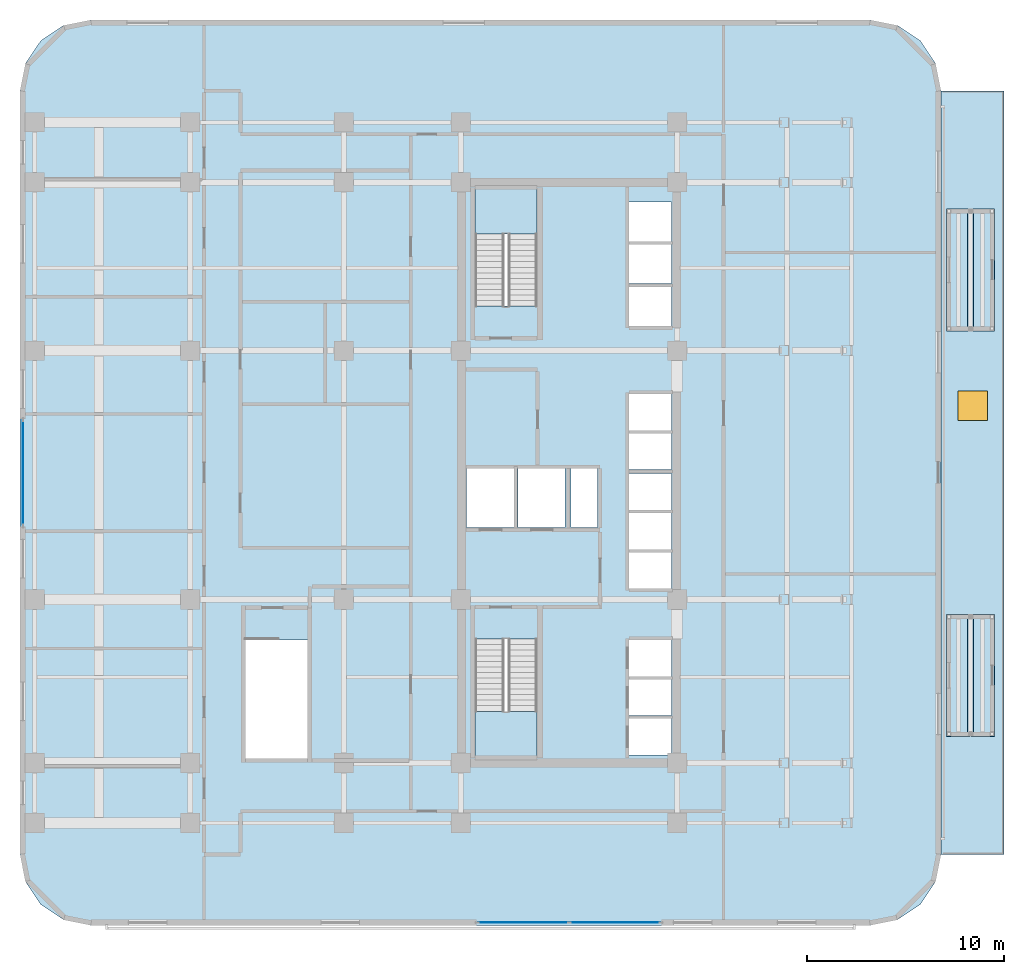
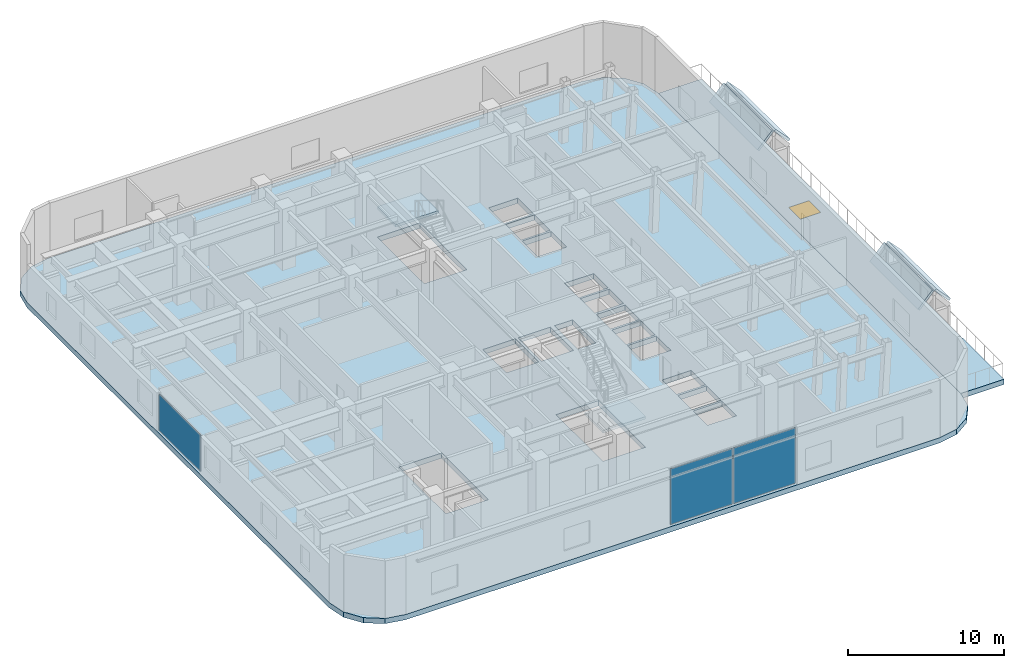
# One storey, part 7 of 18: 8 slabs, 3 plates, 1 window, 1 opening, 4 elements without a shape of their own.
"""IFC4 building model written with IfcOpenShell, lengths in metres."""

from ifc_helpers import new_model, si_unit, direction, frame, origin, origin_2d, place, context, subcontext, project, spatial, polyline, rectangle, outline, extrude, material, layer, layer_set, type_object, element, fill, aggregate, save


model = new_model("IFC4")

# Units and contexts
model_context = context("Model", 3, precision=1e-05, world=origin(), true_north=direction((0.0, 1.0)))
body_context = subcontext(model_context, "Body", "Model", "MODEL_VIEW")
ifc_project = project(units=[si_unit("LENGTHUNIT", "METRE"), si_unit("AREAUNIT", "SQUARE_METRE"), si_unit("VOLUMEUNIT", "CUBIC_METRE"), si_unit("PLANEANGLEUNIT", "RADIAN"), si_unit("MASSUNIT", "GRAM", prefix="KILO")], contexts=[model_context])

# Site, building, storey
site_placement = place(None, origin())
site = spatial("IfcSite", under=ifc_project, at=site_placement, CompositionType="ELEMENT")
building_placement = place(site_placement, origin())
building = spatial("IfcBuilding", under=site, at=building_placement, Name="Ochreholt Gables", CompositionType="ELEMENT")
storey_placement = place(building_placement, frame((0.0, 0.0, 19.199951171875)))
storey = spatial("IfcBuildingStorey", under=building, at=storey_placement, Name="L04", CompositionType="ELEMENT", Elevation=19.199951171875)

# Curtain wall, plates
ifc_material_1 = material(Name="Unitised Aluminium and Triple Glazing", Category="aluminium")
ifc_layer_1 = layer(ifc_material_1, 0.199951171875, Name="Unitised Aluminium and Triple Glazing")
ifc_layer_set_1 = layer_set([ifc_layer_1], Name="Unitised Aluminium and Triple Glazing")
curtain_wall_type = type_object("IfcCurtainWallType", Name="CW-SYS1", PredefinedType="NOTDEFINED", material=ifc_layer_set_1)
curtain_wall_1_placement = place(storey_placement, origin())
curtain_wall_1 = element("IfcCurtainWall", 1, at=curtain_wall_1_placement, inside=storey, type_object=curtain_wall_type, Name="L04 South Unitised Curtain Wall", PredefinedType="NOTDEFINED")
ifc_material_2 = material(Name="Triple Low-E Insulating Glass", Category="glass")
ifc_layer_2 = layer(ifc_material_2, 0.035888671875, Name="Triple Low-E Insulating Glass")
ifc_layer_set_2 = layer_set([ifc_layer_2], Name="Triple Low-E Insulating Glass")
plate_type = type_object("IfcPlateType", Name="CW-PNL-36", PredefinedType="CURTAIN_PANEL", material=ifc_layer_set_2)
plate_1_placement = place(storey_placement, frame((27.36865234375, 1.14501953125, 0.074951171875), z_axis=(0.0, 0.0, 1.0), x_axis=(1.0, 0.0, 0.0)))
plate_1 = element("IfcPlate", 2, at=plate_1_placement, type_object=plate_type, Name="CW-1 panel 1.1", PredefinedType="CURTAIN_PANEL", context=body_context, shape_type="SweptSolid", body=[
    extrude(rectangle(XDim=4.58740234375, YDim=0.035888671875, at=origin_2d()), origin(), (0.0, 0.0, 1.0), 4.35009765625),
])
plate_2_placement = place(storey_placement, frame((32.03125, 1.14501953125, 0.074951171875), z_axis=(0.0, 0.0, 1.0), x_axis=(1.0, 0.0, 0.0)))
plate_2 = element("IfcPlate", 3, at=plate_2_placement, type_object=plate_type, Name="CW-1 panel 2.1", PredefinedType="CURTAIN_PANEL", context=body_context, shape_type="SweptSolid", body=[
    extrude(rectangle(XDim=4.58740234375, YDim=0.035888671875, at=origin_2d()), origin(), (0.0, 0.0, 1.0), 4.35009765625),
])
aggregate(curtain_wall_1, [plate_1, plate_2])

# Curtain wall, plate
curtain_wall_2_placement = place(storey_placement, origin())
curtain_wall_2 = element("IfcCurtainWall", 4, at=curtain_wall_2_placement, inside=storey, type_object=curtain_wall_type, Name="L04 West Unitised Curtain Wall", PredefinedType="NOTDEFINED")
plate_3_placement = place(storey_placement, frame((1.945068359375, 24.0, 0.074951171875), z_axis=(0.0, 0.0, 1.0), x_axis=(0.0, -1.0, 0.0)))
plate_3 = element("IfcPlate", 5, at=plate_3_placement, type_object=plate_type, Name="CW-1 panel 1.1", PredefinedType="CURTAIN_PANEL", context=body_context, shape_type="SweptSolid", body=[
    extrude(rectangle(XDim=5.31005859375, YDim=0.035888671875, at=origin_2d()), origin(), (0.0, 0.0, 1.0), 2.83203125),
])
aggregate(curtain_wall_2, [plate_3])

# Stair, slab
ifc_material_3 = material(Name="Concrete 40 MPa", Category="concrete")
stair_type_1 = type_object("IfcStairType", Name="STAIR-CORE-ST-1", PredefinedType="HALF_TURN_STAIR", material=ifc_material_3)
stair_1_placement = place(storey_placement, origin())
stair_1 = element("IfcStair", 6, at=stair_1_placement, inside=storey, type_object=stair_type_1, Name="L04 Core Exit Stair 1", PredefinedType="HALF_TURN_STAIR")
ifc_layer_3 = layer(ifc_material_3, 0.199951171875, Name="Concrete 40 MPa")
ifc_layer_set_3 = layer_set([ifc_layer_3], Name="Concrete 40 MPa")
slab_type_1 = type_object("IfcSlabType", Name="LANDING-RC200", PredefinedType="LANDING", material=ifc_layer_set_3)
slab_1_placement = place(storey_placement, frame((0.0, 0.0, 2.199951171875)))
slab_1 = element("IfcSlab", 7, at=slab_1_placement, type_object=slab_type_1, Name="ST-1 landing 1", PredefinedType="LANDING", context=body_context, shape_type="SweptSolid", body=[
    extrude(outline(polyline([(24.919921875, 11.8740234375), (24.919921875, 9.52001953125), (28.080078125, 9.52001953125), (28.080078125, 11.8740234375), (24.919921875, 11.8740234375)])), origin(), (0.0, 0.0, 1.0), 0.2001953125),
])
aggregate(stair_1, [slab_1])

stair_type_2 = type_object("IfcStairType", Name="STAIR-CORE-ST-2", PredefinedType="HALF_TURN_STAIR", material=ifc_material_3)
stair_2_placement = place(storey_placement, origin())
stair_2 = element("IfcStair", 8, at=stair_2_placement, inside=storey, type_object=stair_type_2, Name="L04 Core Exit Stair 2", PredefinedType="HALF_TURN_STAIR")
slab_2_placement = place(storey_placement, frame((0.0, 0.0, 2.199951171875)))
slab_2 = element("IfcSlab", 9, at=slab_2_placement, type_object=slab_type_1, Name="ST-2 landing 1", PredefinedType="LANDING", context=body_context, shape_type="SweptSolid", body=[
    extrude(outline(polyline([(28.080078125, 36.1259765625), (28.080078125, 38.47998046875), (24.919921875, 38.47998046875), (24.919921875, 36.1259765625), (28.080078125, 36.1259765625)])), origin(), (0.0, 0.0, 1.0), 0.2001953125),
])
aggregate(stair_2, [slab_2])

# Slabs
ifc_material_4 = material(Name="Precast concrete 40 MPa", Category="concrete")
ifc_layer_4 = layer(ifc_material_4, 0.179931640625, Name="Precast concrete 40 MPa")
ifc_layer_set_4 = layer_set([ifc_layer_4], Name="Precast concrete 40 MPa")
slab_type_2 = type_object("IfcSlabType", Name="SLAB-GAB-180", PredefinedType="ROOF", material=ifc_layer_set_4)
for number, where, z_axis, x_axis, name in (
    (10, (48.8798828125, 10.60009765625, 2.85009765625), (-0.729158597118, 0.0, 0.684344752481), (0.684344752481, 0.0, 0.729158597118), "L04 Gable West Roof Slope GB-04E1"),
    (11, (50.246337890625, 10.60009765625, 3.994140625), (0.729158597118, 0.0, 0.684344752481), (0.684344752481, 0.0, -0.729158597118), "L04 Gable East Roof Slope GB-04E1"),
    (12, (48.8798828125, 31.199951171875, 2.85009765625), (-0.729158597118, 0.0, 0.684344752481), (0.684344752481, 0.0, 0.729158597118), "L04 Gable West Roof Slope GB-04E2"),
    (13, (50.246337890625, 31.199951171875, 3.994140625), (0.729158597118, 0.0, 0.684344752481), (0.684344752481, 0.0, -0.729158597118), "L04 Gable East Roof Slope GB-04E2"),
):
    element("IfcSlab", number, at=place(storey_placement, frame(where, z_axis=z_axis, x_axis=x_axis)), inside=storey, type_object=slab_type_2, Name=name, PredefinedType="ROOF", context=body_context, shape_type="SweptSolid", body=[
        extrude(outline(polyline([(0.0, 0.0), (1.5689905780049824, 0.0), (1.5689905780049824, 6.199951171875), (0.0, 6.199951171875), (0.0, 0.0)])), origin(), (0.0, 0.0, -1.0), 0.179931640625),
    ])
ifc_material_5 = material(Name="Concrete 50 MPa", Category="concrete")
ifc_layer_5 = layer(ifc_material_5, 0.409912109375, Name="Concrete 50 MPa")
ifc_layer_set_5 = layer_set([ifc_layer_5], Name="Concrete 50 MPa")
slab_type_3 = type_object("IfcSlabType", Name="SLAB-TER-410", PredefinedType="FLOOR", material=ifc_layer_set_5)
slab_3_placement = place(storey_placement, frame((0.0, 0.0, -0.409912109375)))
element("IfcSlab", 14, at=slab_3_placement, inside=storey, type_object=slab_type_3, Name="L04 Structural Floor Slab", PredefinedType="FLOOR", context=body_context, shape_type="SweptSolid", body=[
    extrude(outline(polyline([(1.800048828125, 4.60009765625), (2.073974609375, 3.222412109375), (2.8544921875, 2.054443359375), (4.022216796875, 1.27392578125), (5.39990234375, 1.0), (45.0, 1.0), (46.377685546875, 1.27392578125), (47.545654296875, 2.054443359375), (48.325927734375, 3.222412109375), (48.60009765625, 4.60009765625), (48.60009765625, 43.39990234375), (48.325927734375, 44.777587890625), (47.545654296875, 45.945556640625), (46.377685546875, 46.72607421875), (45.0, 47.0), (5.39990234375, 47.0), (4.022216796875, 46.72607421875), (2.8544921875, 45.945556640625), (2.073974609375, 44.777587890625), (1.800048828125, 43.39990234375), (1.800048828125, 4.60009765625)]), holes=[polyline([(24.919921875, 15.539306640625), (24.919921875, 9.52001953125), (28.080078125, 9.52001953125), (28.080078125, 15.539306640625), (24.919921875, 15.539306640625)]), polyline([(28.080078125, 32.460693359375), (28.080078125, 38.47998046875), (24.919921875, 38.47998046875), (24.919921875, 32.460693359375), (28.080078125, 32.460693359375)]), polyline([(13.25, 15.499267578125), (13.25, 9.47998046875), (16.409912109375, 9.47998046875), (16.409912109375, 15.499267578125), (13.25, 15.499267578125)]), polyline([(24.5, 21.199951171875), (26.89990234375, 21.199951171875), (26.89990234375, 24.199951171875), (24.5, 24.199951171875), (24.5, 21.199951171875)]), polyline([(27.10009765625, 21.199951171875), (29.5, 21.199951171875), (29.5, 24.199951171875), (27.10009765625, 24.199951171875), (27.10009765625, 21.199951171875)]), polyline([(32.75, 9.64990234375), (34.89990234375, 9.64990234375), (34.89990234375, 11.5), (32.75, 11.5), (32.75, 9.64990234375)]), polyline([(32.75, 11.64990234375), (34.89990234375, 11.64990234375), (34.89990234375, 13.5), (32.75, 13.5), (32.75, 11.64990234375)]), polyline([(32.75, 13.64990234375), (34.89990234375, 13.64990234375), (34.89990234375, 15.5), (32.75, 15.5), (32.75, 13.64990234375)]), polyline([(32.75, 18.10009765625), (34.89990234375, 18.10009765625), (34.89990234375, 19.949951171875), (32.75, 19.949951171875), (32.75, 18.10009765625)]), polyline([(32.75, 20.10009765625), (34.89990234375, 20.10009765625), (34.89990234375, 21.949951171875), (32.75, 21.949951171875), (32.75, 20.10009765625)]), polyline([(32.75, 22.10009765625), (34.89990234375, 22.10009765625), (34.89990234375, 23.949951171875), (32.75, 23.949951171875), (32.75, 22.10009765625)]), polyline([(32.75, 24.14990234375), (34.89990234375, 24.14990234375), (34.89990234375, 26.0), (32.75, 26.0), (32.75, 24.14990234375)]), polyline([(32.75, 26.14990234375), (34.89990234375, 26.14990234375), (34.89990234375, 28.0), (32.75, 28.0), (32.75, 26.14990234375)]), polyline([(32.75, 31.449951171875), (34.89990234375, 31.449951171875), (34.89990234375, 33.449951171875), (32.75, 33.449951171875), (32.75, 31.449951171875)]), polyline([(32.75, 33.60009765625), (34.89990234375, 33.60009765625), (34.89990234375, 35.60009765625), (32.75, 35.60009765625), (32.75, 33.60009765625)]), polyline([(32.75, 35.75), (34.89990234375, 35.75), (34.89990234375, 37.75), (32.75, 37.75), (32.75, 35.75)]), polyline([(29.800048828125, 21.199951171875), (31.14990234375, 21.199951171875), (31.14990234375, 24.199951171875), (29.800048828125, 24.199951171875), (29.800048828125, 21.199951171875)])]), origin(), (0.0, 0.0, 1.0), 0.409912109375),
])

# Slab, opening, window
slab_4_placement = place(storey_placement, frame((0.0, 0.0, -0.409912109375)))
slab_4 = element("IfcSlab", 15, at=slab_4_placement, inside=storey, type_object=slab_type_3, Name="L04 Outdoor Terrace Slab TR-L04-E", PredefinedType="FLOOR", context=body_context, shape_type="SweptSolid", body=[
    extrude(outline(polyline([(48.60009765625, 4.60009765625), (51.800048828125, 4.60009765625), (51.800048828125, 43.39990234375), (48.60009765625, 43.39990234375), (48.60009765625, 4.60009765625)])), origin(), (0.0, 0.0, 1.0), 0.409912109375),
])
opening_placement = place(slab_4_placement, frame((50.2001953125, 27.39990234375, 0.0)))
opening = element("IfcOpeningElement", 16, at=opening_placement, cuts=slab_4, Name="Opening SK-2", PredefinedType="OPENING", context=body_context, shape_type="SweptSolid", body=[
    extrude(rectangle(XDim=1.5, YDim=1.5, at=origin_2d()), frame((0.0, 0.0, -0.010009765625)), (0.0, 0.0, 1.0), 0.429931640625),
])
ifc_material_6 = material(Name="Triple-Glazed Thermally Broken Aluminium Window", Category="aluminium")
window_type = type_object("IfcWindowType", Name="SKY-POD-1500", PartitioningType="SINGLE_PANEL", PredefinedType="SKYLIGHT", material=ifc_material_6)
window_placement = place(opening_placement, frame((0.0, 0.0, 0.35986328125)))
window = element("IfcWindow", 17, at=window_placement, inside=storey, type_object=window_type, Name="L04 Terrace Daylight Skylight TR-L04-E", OverallHeight=1.5, OverallWidth=1.5, PartitioningType="SINGLE_PANEL", PredefinedType="SKYLIGHT", context=body_context, shape_type="SweptSolid", body=[
    extrude(rectangle(XDim=1.5, YDim=1.5, at=origin_2d()), origin(), (0.0, 0.0, 1.0), 0.050048828125),
])
fill(opening, window)

save(model, "model.ifc")
